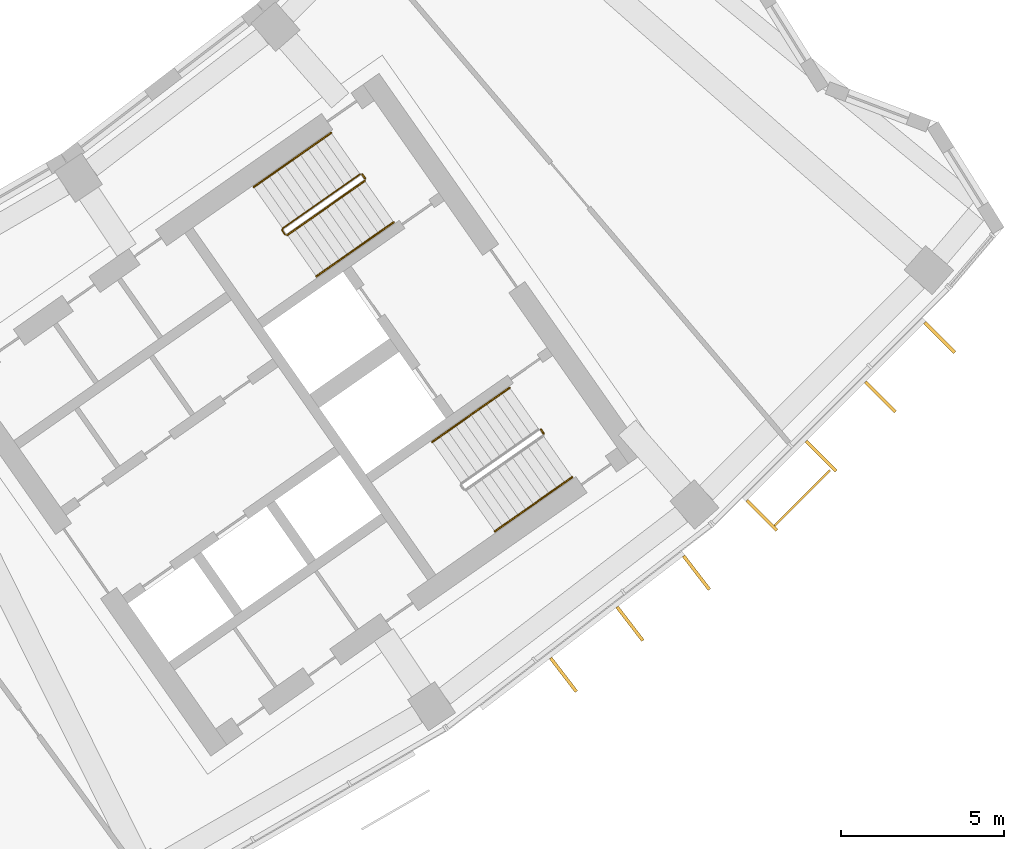
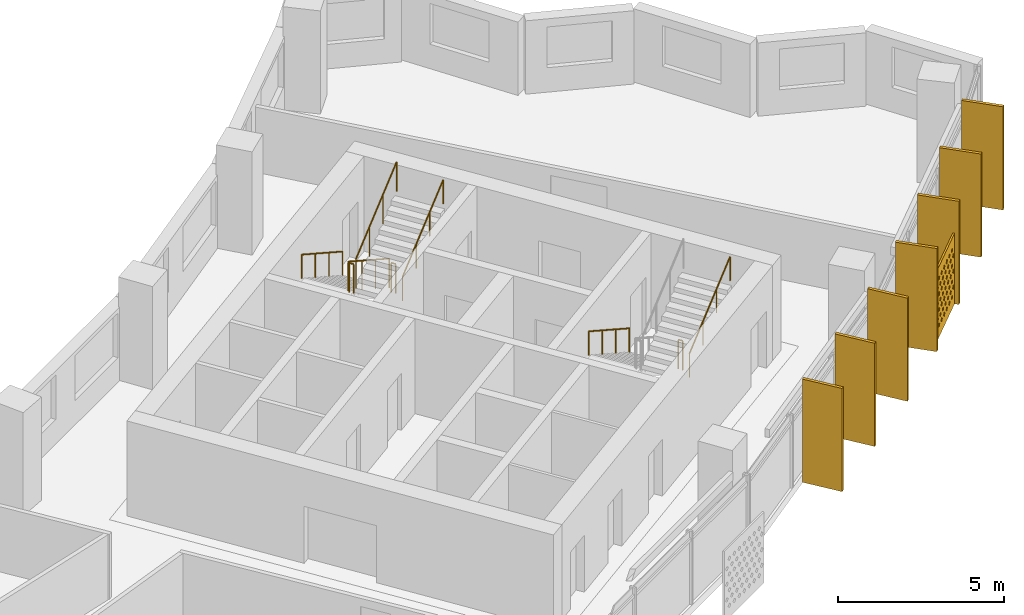
# One storey, part 27 of 27: 8 railings, 8 shading devices.
"""IFC4 building model written with IfcOpenShell, lengths in metres."""

from ifc_helpers import new_model, si_unit, direction, frame, origin, origin_2d, place, context, subcontext, project, spatial, polyline, rectangle, circle, outline, extrude, material, material_profile, profile_set, type_object, element, save


model = new_model("IFC4")

# Units and contexts
model_context = context("Model", 3, precision=1e-05, world=origin(), true_north=direction((0.0, 1.0)))
body_context = subcontext(model_context, "Body", "Model", "MODEL_VIEW")
ifc_project = project(units=[si_unit("LENGTHUNIT", "METRE"), si_unit("AREAUNIT", "SQUARE_METRE"), si_unit("VOLUMEUNIT", "CUBIC_METRE"), si_unit("PLANEANGLEUNIT", "RADIAN"), si_unit("MASSUNIT", "GRAM", prefix="KILO")], contexts=[model_context])

# Site, building, storey
site_placement = place(None, origin())
site = spatial("IfcSite", under=ifc_project, at=site_placement, CompositionType="ELEMENT")
building_placement = place(site_placement, origin())
building = spatial("IfcBuilding", under=site, at=building_placement, Name="Qamariyya Broadcast Tower", CompositionType="ELEMENT")
storey_placement = place(building_placement, frame((0.0, 0.0, 222.699951171875)))
storey = spatial("IfcBuildingStorey", under=building, at=storey_placement, Name="L53", CompositionType="ELEMENT", Elevation=222.699951171875)

# Shading device
ifc_material_1 = material(Name="Perforated glazed terracotta", Category="masonry")
ifc_material_profile_1 = material_profile(ifc_material_1, outline(polyline([(-1.199951171875, -1.300048828125), (1.199951171875, -1.300048828125), (1.199951171875, 1.300048828125), (-1.199951171875, 1.300048828125), (-1.199951171875, -1.300048828125)]), holes=[polyline([(-0.81494140625, -0.86669921875), (-0.89990234375, -0.78173828125), (-0.985107421875, -0.86669921875), (-0.89990234375, -0.95166015625), (-0.81494140625, -0.86669921875)]), polyline([(-0.514892578125, -0.86669921875), (-0.60009765625, -0.78173828125), (-0.68505859375, -0.86669921875), (-0.60009765625, -0.95166015625), (-0.514892578125, -0.86669921875)]), polyline([(-0.215087890625, -0.86669921875), (-0.300048828125, -0.78173828125), (-0.385009765625, -0.86669921875), (-0.300048828125, -0.95166015625), (-0.215087890625, -0.86669921875)]), polyline([(0.0849609375, -0.86669921875), (0.0, -0.78173828125), (-0.0849609375, -0.86669921875), (0.0, -0.95166015625), (0.0849609375, -0.86669921875)]), polyline([(0.385009765625, -0.86669921875), (0.300048828125, -0.78173828125), (0.215087890625, -0.86669921875), (0.300048828125, -0.95166015625), (0.385009765625, -0.86669921875)]), polyline([(0.68505859375, -0.86669921875), (0.60009765625, -0.78173828125), (0.514892578125, -0.86669921875), (0.60009765625, -0.95166015625), (0.68505859375, -0.86669921875)]), polyline([(0.985107421875, -0.86669921875), (0.89990234375, -0.78173828125), (0.81494140625, -0.86669921875), (0.89990234375, -0.95166015625), (0.985107421875, -0.86669921875)]), polyline([(-0.965087890625, -0.577880859375), (-1.050048828125, -0.49267578125), (-1.135009765625, -0.577880859375), (-1.050048828125, -0.662841796875), (-0.965087890625, -0.577880859375)]), polyline([(-0.6650390625, -0.577880859375), (-0.75, -0.49267578125), (-0.8349609375, -0.577880859375), (-0.75, -0.662841796875), (-0.6650390625, -0.577880859375)]), polyline([(-0.364990234375, -0.577880859375), (-0.449951171875, -0.49267578125), (-0.534912109375, -0.577880859375), (-0.449951171875, -0.662841796875), (-0.364990234375, -0.577880859375)]), polyline([(-0.06494140625, -0.577880859375), (-0.14990234375, -0.49267578125), (-0.235107421875, -0.577880859375), (-0.14990234375, -0.662841796875), (-0.06494140625, -0.577880859375)]), polyline([(0.235107421875, -0.577880859375), (0.14990234375, -0.49267578125), (0.06494140625, -0.577880859375), (0.14990234375, -0.662841796875), (0.235107421875, -0.577880859375)]), polyline([(0.534912109375, -0.577880859375), (0.449951171875, -0.49267578125), (0.364990234375, -0.577880859375), (0.449951171875, -0.662841796875), (0.534912109375, -0.577880859375)]), polyline([(0.8349609375, -0.577880859375), (0.75, -0.49267578125), (0.6650390625, -0.577880859375), (0.75, -0.662841796875), (0.8349609375, -0.577880859375)]), polyline([(1.135009765625, -0.577880859375), (1.050048828125, -0.49267578125), (0.965087890625, -0.577880859375), (1.050048828125, -0.662841796875), (1.135009765625, -0.577880859375)]), polyline([(-0.81494140625, -0.288818359375), (-0.89990234375, -0.203857421875), (-0.985107421875, -0.288818359375), (-0.89990234375, -0.373779296875), (-0.81494140625, -0.288818359375)]), polyline([(-0.514892578125, -0.288818359375), (-0.60009765625, -0.203857421875), (-0.68505859375, -0.288818359375), (-0.60009765625, -0.373779296875), (-0.514892578125, -0.288818359375)]), polyline([(-0.215087890625, -0.288818359375), (-0.300048828125, -0.203857421875), (-0.385009765625, -0.288818359375), (-0.300048828125, -0.373779296875), (-0.215087890625, -0.288818359375)]), polyline([(0.0849609375, -0.288818359375), (0.0, -0.203857421875), (-0.0849609375, -0.288818359375), (0.0, -0.373779296875), (0.0849609375, -0.288818359375)]), polyline([(0.385009765625, -0.288818359375), (0.300048828125, -0.203857421875), (0.215087890625, -0.288818359375), (0.300048828125, -0.373779296875), (0.385009765625, -0.288818359375)]), polyline([(0.68505859375, -0.288818359375), (0.60009765625, -0.203857421875), (0.514892578125, -0.288818359375), (0.60009765625, -0.373779296875), (0.68505859375, -0.288818359375)]), polyline([(0.985107421875, -0.288818359375), (0.89990234375, -0.203857421875), (0.81494140625, -0.288818359375), (0.89990234375, -0.373779296875), (0.985107421875, -0.288818359375)]), polyline([(-0.965087890625, 0.0), (-1.050048828125, 0.0849609375), (-1.135009765625, 0.0), (-1.050048828125, -0.0849609375), (-0.965087890625, 0.0)]), polyline([(-0.6650390625, 0.0), (-0.75, 0.0849609375), (-0.8349609375, 0.0), (-0.75, -0.0849609375), (-0.6650390625, 0.0)]), polyline([(-0.364990234375, 0.0), (-0.449951171875, 0.0849609375), (-0.534912109375, 0.0), (-0.449951171875, -0.0849609375), (-0.364990234375, 0.0)]), polyline([(-0.06494140625, 0.0), (-0.14990234375, 0.0849609375), (-0.235107421875, 0.0), (-0.14990234375, -0.0849609375), (-0.06494140625, 0.0)]), polyline([(0.235107421875, 0.0), (0.14990234375, 0.0849609375), (0.06494140625, 0.0), (0.14990234375, -0.0849609375), (0.235107421875, 0.0)]), polyline([(0.534912109375, 0.0), (0.449951171875, 0.0849609375), (0.364990234375, 0.0), (0.449951171875, -0.0849609375), (0.534912109375, 0.0)]), polyline([(0.8349609375, 0.0), (0.75, 0.0849609375), (0.6650390625, 0.0), (0.75, -0.0849609375), (0.8349609375, 0.0)]), polyline([(1.135009765625, 0.0), (1.050048828125, 0.0849609375), (0.965087890625, 0.0), (1.050048828125, -0.0849609375), (1.135009765625, 0.0)]), polyline([(-0.81494140625, 0.288818359375), (-0.89990234375, 0.373779296875), (-0.985107421875, 0.288818359375), (-0.89990234375, 0.203857421875), (-0.81494140625, 0.288818359375)]), polyline([(-0.514892578125, 0.288818359375), (-0.60009765625, 0.373779296875), (-0.68505859375, 0.288818359375), (-0.60009765625, 0.203857421875), (-0.514892578125, 0.288818359375)]), polyline([(-0.215087890625, 0.288818359375), (-0.300048828125, 0.373779296875), (-0.385009765625, 0.288818359375), (-0.300048828125, 0.203857421875), (-0.215087890625, 0.288818359375)]), polyline([(0.0849609375, 0.288818359375), (0.0, 0.373779296875), (-0.0849609375, 0.288818359375), (0.0, 0.203857421875), (0.0849609375, 0.288818359375)]), polyline([(0.385009765625, 0.288818359375), (0.300048828125, 0.373779296875), (0.215087890625, 0.288818359375), (0.300048828125, 0.203857421875), (0.385009765625, 0.288818359375)]), polyline([(0.68505859375, 0.288818359375), (0.60009765625, 0.373779296875), (0.514892578125, 0.288818359375), (0.60009765625, 0.203857421875), (0.68505859375, 0.288818359375)]), polyline([(0.985107421875, 0.288818359375), (0.89990234375, 0.373779296875), (0.81494140625, 0.288818359375), (0.89990234375, 0.203857421875), (0.985107421875, 0.288818359375)]), polyline([(-0.965087890625, 0.577880859375), (-1.050048828125, 0.662841796875), (-1.135009765625, 0.577880859375), (-1.050048828125, 0.49267578125), (-0.965087890625, 0.577880859375)]), polyline([(-0.6650390625, 0.577880859375), (-0.75, 0.662841796875), (-0.8349609375, 0.577880859375), (-0.75, 0.49267578125), (-0.6650390625, 0.577880859375)]), polyline([(-0.364990234375, 0.577880859375), (-0.449951171875, 0.662841796875), (-0.534912109375, 0.577880859375), (-0.449951171875, 0.49267578125), (-0.364990234375, 0.577880859375)]), polyline([(-0.06494140625, 0.577880859375), (-0.14990234375, 0.662841796875), (-0.235107421875, 0.577880859375), (-0.14990234375, 0.49267578125), (-0.06494140625, 0.577880859375)]), polyline([(0.235107421875, 0.577880859375), (0.14990234375, 0.662841796875), (0.06494140625, 0.577880859375), (0.14990234375, 0.49267578125), (0.235107421875, 0.577880859375)]), polyline([(0.534912109375, 0.577880859375), (0.449951171875, 0.662841796875), (0.364990234375, 0.577880859375), (0.449951171875, 0.49267578125), (0.534912109375, 0.577880859375)]), polyline([(0.8349609375, 0.577880859375), (0.75, 0.662841796875), (0.6650390625, 0.577880859375), (0.75, 0.49267578125), (0.8349609375, 0.577880859375)]), polyline([(1.135009765625, 0.577880859375), (1.050048828125, 0.662841796875), (0.965087890625, 0.577880859375), (1.050048828125, 0.49267578125), (1.135009765625, 0.577880859375)]), polyline([(-0.81494140625, 0.86669921875), (-0.89990234375, 0.95166015625), (-0.985107421875, 0.86669921875), (-0.89990234375, 0.78173828125), (-0.81494140625, 0.86669921875)]), polyline([(-0.514892578125, 0.86669921875), (-0.60009765625, 0.95166015625), (-0.68505859375, 0.86669921875), (-0.60009765625, 0.78173828125), (-0.514892578125, 0.86669921875)]), polyline([(-0.215087890625, 0.86669921875), (-0.300048828125, 0.95166015625), (-0.385009765625, 0.86669921875), (-0.300048828125, 0.78173828125), (-0.215087890625, 0.86669921875)]), polyline([(0.0849609375, 0.86669921875), (0.0, 0.95166015625), (-0.0849609375, 0.86669921875), (0.0, 0.78173828125), (0.0849609375, 0.86669921875)]), polyline([(0.385009765625, 0.86669921875), (0.300048828125, 0.95166015625), (0.215087890625, 0.86669921875), (0.300048828125, 0.78173828125), (0.385009765625, 0.86669921875)]), polyline([(0.68505859375, 0.86669921875), (0.60009765625, 0.95166015625), (0.514892578125, 0.86669921875), (0.60009765625, 0.78173828125), (0.68505859375, 0.86669921875)]), polyline([(0.985107421875, 0.86669921875), (0.89990234375, 0.95166015625), (0.81494140625, 0.86669921875), (0.89990234375, 0.78173828125), (0.985107421875, 0.86669921875)])]))
ifc_profile_set_1 = profile_set([ifc_material_profile_1], Name="Perforated glazed terracotta")
shading_device_type_1 = type_object("IfcShadingDeviceType", Name="Perforated terracotta screen 2400 x 2600", PredefinedType="USERDEFINED", material=ifc_profile_set_1)
shading_device_placement = place(storey_placement, frame((54.548828125, -58.237060546875, 1.35009765625), z_axis=(0.707106781187, -0.707106781187, 0.0), x_axis=(0.707106781187, 0.707106781187, 0.0)))
element("IfcShadingDevice", 1, at=shading_device_placement, inside=storey, type_object=shading_device_type_1, Name="e-scr-L53-14-0", ObjectType="SCREEN", PredefinedType="USERDEFINED", context=body_context, shape_type="SweptSolid", body=[
    extrude(outline(polyline([(-1.199951171875, -1.300048828125), (1.199951171875, -1.300048828125), (1.199951171875, 1.300048828125), (-1.199951171875, 1.300048828125), (-1.199951171875, -1.300048828125)]), holes=[polyline([(-0.81494140625, -0.86669921875), (-0.89990234375, -0.78173828125), (-0.985107421875, -0.86669921875), (-0.89990234375, -0.95166015625), (-0.81494140625, -0.86669921875)]), polyline([(-0.514892578125, -0.86669921875), (-0.60009765625, -0.78173828125), (-0.68505859375, -0.86669921875), (-0.60009765625, -0.95166015625), (-0.514892578125, -0.86669921875)]), polyline([(-0.215087890625, -0.86669921875), (-0.300048828125, -0.78173828125), (-0.385009765625, -0.86669921875), (-0.300048828125, -0.95166015625), (-0.215087890625, -0.86669921875)]), polyline([(0.0849609375, -0.86669921875), (0.0, -0.78173828125), (-0.0849609375, -0.86669921875), (0.0, -0.95166015625), (0.0849609375, -0.86669921875)]), polyline([(0.385009765625, -0.86669921875), (0.300048828125, -0.78173828125), (0.215087890625, -0.86669921875), (0.300048828125, -0.95166015625), (0.385009765625, -0.86669921875)]), polyline([(0.68505859375, -0.86669921875), (0.60009765625, -0.78173828125), (0.514892578125, -0.86669921875), (0.60009765625, -0.95166015625), (0.68505859375, -0.86669921875)]), polyline([(0.985107421875, -0.86669921875), (0.89990234375, -0.78173828125), (0.81494140625, -0.86669921875), (0.89990234375, -0.95166015625), (0.985107421875, -0.86669921875)]), polyline([(-0.965087890625, -0.577880859375), (-1.050048828125, -0.49267578125), (-1.135009765625, -0.577880859375), (-1.050048828125, -0.662841796875), (-0.965087890625, -0.577880859375)]), polyline([(-0.6650390625, -0.577880859375), (-0.75, -0.49267578125), (-0.8349609375, -0.577880859375), (-0.75, -0.662841796875), (-0.6650390625, -0.577880859375)]), polyline([(-0.364990234375, -0.577880859375), (-0.449951171875, -0.49267578125), (-0.534912109375, -0.577880859375), (-0.449951171875, -0.662841796875), (-0.364990234375, -0.577880859375)]), polyline([(-0.06494140625, -0.577880859375), (-0.14990234375, -0.49267578125), (-0.235107421875, -0.577880859375), (-0.14990234375, -0.662841796875), (-0.06494140625, -0.577880859375)]), polyline([(0.235107421875, -0.577880859375), (0.14990234375, -0.49267578125), (0.06494140625, -0.577880859375), (0.14990234375, -0.662841796875), (0.235107421875, -0.577880859375)]), polyline([(0.534912109375, -0.577880859375), (0.449951171875, -0.49267578125), (0.364990234375, -0.577880859375), (0.449951171875, -0.662841796875), (0.534912109375, -0.577880859375)]), polyline([(0.8349609375, -0.577880859375), (0.75, -0.49267578125), (0.6650390625, -0.577880859375), (0.75, -0.662841796875), (0.8349609375, -0.577880859375)]), polyline([(1.135009765625, -0.577880859375), (1.050048828125, -0.49267578125), (0.965087890625, -0.577880859375), (1.050048828125, -0.662841796875), (1.135009765625, -0.577880859375)]), polyline([(-0.81494140625, -0.288818359375), (-0.89990234375, -0.203857421875), (-0.985107421875, -0.288818359375), (-0.89990234375, -0.373779296875), (-0.81494140625, -0.288818359375)]), polyline([(-0.514892578125, -0.288818359375), (-0.60009765625, -0.203857421875), (-0.68505859375, -0.288818359375), (-0.60009765625, -0.373779296875), (-0.514892578125, -0.288818359375)]), polyline([(-0.215087890625, -0.288818359375), (-0.300048828125, -0.203857421875), (-0.385009765625, -0.288818359375), (-0.300048828125, -0.373779296875), (-0.215087890625, -0.288818359375)]), polyline([(0.0849609375, -0.288818359375), (0.0, -0.203857421875), (-0.0849609375, -0.288818359375), (0.0, -0.373779296875), (0.0849609375, -0.288818359375)]), polyline([(0.385009765625, -0.288818359375), (0.300048828125, -0.203857421875), (0.215087890625, -0.288818359375), (0.300048828125, -0.373779296875), (0.385009765625, -0.288818359375)]), polyline([(0.68505859375, -0.288818359375), (0.60009765625, -0.203857421875), (0.514892578125, -0.288818359375), (0.60009765625, -0.373779296875), (0.68505859375, -0.288818359375)]), polyline([(0.985107421875, -0.288818359375), (0.89990234375, -0.203857421875), (0.81494140625, -0.288818359375), (0.89990234375, -0.373779296875), (0.985107421875, -0.288818359375)]), polyline([(-0.965087890625, 0.0), (-1.050048828125, 0.0849609375), (-1.135009765625, 0.0), (-1.050048828125, -0.0849609375), (-0.965087890625, 0.0)]), polyline([(-0.6650390625, 0.0), (-0.75, 0.0849609375), (-0.8349609375, 0.0), (-0.75, -0.0849609375), (-0.6650390625, 0.0)]), polyline([(-0.364990234375, 0.0), (-0.449951171875, 0.0849609375), (-0.534912109375, 0.0), (-0.449951171875, -0.0849609375), (-0.364990234375, 0.0)]), polyline([(-0.06494140625, 0.0), (-0.14990234375, 0.0849609375), (-0.235107421875, 0.0), (-0.14990234375, -0.0849609375), (-0.06494140625, 0.0)]), polyline([(0.235107421875, 0.0), (0.14990234375, 0.0849609375), (0.06494140625, 0.0), (0.14990234375, -0.0849609375), (0.235107421875, 0.0)]), polyline([(0.534912109375, 0.0), (0.449951171875, 0.0849609375), (0.364990234375, 0.0), (0.449951171875, -0.0849609375), (0.534912109375, 0.0)]), polyline([(0.8349609375, 0.0), (0.75, 0.0849609375), (0.6650390625, 0.0), (0.75, -0.0849609375), (0.8349609375, 0.0)]), polyline([(1.135009765625, 0.0), (1.050048828125, 0.0849609375), (0.965087890625, 0.0), (1.050048828125, -0.0849609375), (1.135009765625, 0.0)]), polyline([(-0.81494140625, 0.288818359375), (-0.89990234375, 0.373779296875), (-0.985107421875, 0.288818359375), (-0.89990234375, 0.203857421875), (-0.81494140625, 0.288818359375)]), polyline([(-0.514892578125, 0.288818359375), (-0.60009765625, 0.373779296875), (-0.68505859375, 0.288818359375), (-0.60009765625, 0.203857421875), (-0.514892578125, 0.288818359375)]), polyline([(-0.215087890625, 0.288818359375), (-0.300048828125, 0.373779296875), (-0.385009765625, 0.288818359375), (-0.300048828125, 0.203857421875), (-0.215087890625, 0.288818359375)]), polyline([(0.0849609375, 0.288818359375), (0.0, 0.373779296875), (-0.0849609375, 0.288818359375), (0.0, 0.203857421875), (0.0849609375, 0.288818359375)]), polyline([(0.385009765625, 0.288818359375), (0.300048828125, 0.373779296875), (0.215087890625, 0.288818359375), (0.300048828125, 0.203857421875), (0.385009765625, 0.288818359375)]), polyline([(0.68505859375, 0.288818359375), (0.60009765625, 0.373779296875), (0.514892578125, 0.288818359375), (0.60009765625, 0.203857421875), (0.68505859375, 0.288818359375)]), polyline([(0.985107421875, 0.288818359375), (0.89990234375, 0.373779296875), (0.81494140625, 0.288818359375), (0.89990234375, 0.203857421875), (0.985107421875, 0.288818359375)]), polyline([(-0.965087890625, 0.577880859375), (-1.050048828125, 0.662841796875), (-1.135009765625, 0.577880859375), (-1.050048828125, 0.49267578125), (-0.965087890625, 0.577880859375)]), polyline([(-0.6650390625, 0.577880859375), (-0.75, 0.662841796875), (-0.8349609375, 0.577880859375), (-0.75, 0.49267578125), (-0.6650390625, 0.577880859375)]), polyline([(-0.364990234375, 0.577880859375), (-0.449951171875, 0.662841796875), (-0.534912109375, 0.577880859375), (-0.449951171875, 0.49267578125), (-0.364990234375, 0.577880859375)]), polyline([(-0.06494140625, 0.577880859375), (-0.14990234375, 0.662841796875), (-0.235107421875, 0.577880859375), (-0.14990234375, 0.49267578125), (-0.06494140625, 0.577880859375)]), polyline([(0.235107421875, 0.577880859375), (0.14990234375, 0.662841796875), (0.06494140625, 0.577880859375), (0.14990234375, 0.49267578125), (0.235107421875, 0.577880859375)]), polyline([(0.534912109375, 0.577880859375), (0.449951171875, 0.662841796875), (0.364990234375, 0.577880859375), (0.449951171875, 0.49267578125), (0.534912109375, 0.577880859375)]), polyline([(0.8349609375, 0.577880859375), (0.75, 0.662841796875), (0.6650390625, 0.577880859375), (0.75, 0.49267578125), (0.8349609375, 0.577880859375)]), polyline([(1.135009765625, 0.577880859375), (1.050048828125, 0.662841796875), (0.965087890625, 0.577880859375), (1.050048828125, 0.49267578125), (1.135009765625, 0.577880859375)]), polyline([(-0.81494140625, 0.86669921875), (-0.89990234375, 0.95166015625), (-0.985107421875, 0.86669921875), (-0.89990234375, 0.78173828125), (-0.81494140625, 0.86669921875)]), polyline([(-0.514892578125, 0.86669921875), (-0.60009765625, 0.95166015625), (-0.68505859375, 0.86669921875), (-0.60009765625, 0.78173828125), (-0.514892578125, 0.86669921875)]), polyline([(-0.215087890625, 0.86669921875), (-0.300048828125, 0.95166015625), (-0.385009765625, 0.86669921875), (-0.300048828125, 0.78173828125), (-0.215087890625, 0.86669921875)]), polyline([(0.0849609375, 0.86669921875), (0.0, 0.95166015625), (-0.0849609375, 0.86669921875), (0.0, 0.78173828125), (0.0849609375, 0.86669921875)]), polyline([(0.385009765625, 0.86669921875), (0.300048828125, 0.95166015625), (0.215087890625, 0.86669921875), (0.300048828125, 0.78173828125), (0.385009765625, 0.86669921875)]), polyline([(0.68505859375, 0.86669921875), (0.60009765625, 0.95166015625), (0.514892578125, 0.86669921875), (0.60009765625, 0.78173828125), (0.68505859375, 0.86669921875)]), polyline([(0.985107421875, 0.86669921875), (0.89990234375, 0.95166015625), (0.81494140625, 0.86669921875), (0.89990234375, 0.78173828125), (0.985107421875, 0.86669921875)])]), origin(), (0.0, 0.0, 1.0), 0.06005859375),
])

# Railings
ifc_material_2 = material(Name="Painted steel", Category="steel")
railing_type_1 = type_object("IfcRailingType", Name="Stair guard", PredefinedType="GUARDRAIL", material=ifc_material_2)
railing_1_placement = place(storey_placement, frame((41.003173828125, -48.320068359375, 0.1728515625)))
element("IfcRailing", 2, at=railing_1_placement, inside=storey, type_object=railing_type_1, Name="L53 ST-E2 stair guard 1", PredefinedType="GUARDRAIL", context=body_context, shape_type="SweptSolid", body=[
    extrude(circle(Radius=0.02392578125, at=origin_2d()), frame((0.0, 0.0, 1.076171875), z_axis=(-0.703770094002, -0.492783725636, 0.511734163933), x_axis=(0.573575343427, -0.819152809562, 0.0)), (0.0, 0.0, 1.0), 3.37548828125),
    extrude(circle(Radius=0.02392578125, at=origin_2d()), frame((-2.37548828125, -1.663330078125, 2.80322265625), z_axis=(-0.172799478008, -0.984957024646, 0.0), x_axis=(0.984957024646, -0.172799478008, 0.0)), (0.0, 0.0, 1.0), 0.070556640625),
    extrude(circle(Radius=0.02392578125, at=origin_2d()), frame((-2.3876953125, -1.73291015625, 2.80322265625), z_axis=(0.572588637393, -0.819842821722, 0.0), x_axis=(0.819842821722, 0.572588637393, 0.0)), (0.0, 0.0, 1.0), 0.150146484375),
    extrude(circle(Radius=0.02099609375, at=origin_2d()), origin(), (0.0, 0.0, 1.0), 1.052001953125),
    extrude(circle(Radius=0.02099609375, at=origin_2d()), frame((-0.791748046875, -0.554443359375, 0.57568359375)), (0.0, 0.0, 1.0), 1.052001953125),
    extrude(circle(Radius=0.02099609375, at=origin_2d()), frame((-1.583740234375, -1.10888671875, 1.151611328125)), (0.0, 0.0, 1.0), 1.052001953125),
    extrude(circle(Radius=0.02099609375, at=origin_2d()), frame((-2.37548828125, -1.663330078125, 1.727294921875)), (0.0, 0.0, 1.0), 1.052001953125),
    extrude(circle(Radius=0.02099609375, at=origin_2d()), frame((-2.3876953125, -1.73291015625, 1.727294921875)), (0.0, 0.0, 1.0), 1.052001953125),
    extrude(circle(Radius=0.02099609375, at=origin_2d()), frame((-2.3017578125, -1.85595703125, 1.727294921875)), (0.0, 0.0, 1.0), 1.052001953125),
])
railing_2_placement = place(storey_placement, frame((38.771240234375, -50.188232421875, 2.07275390625)))
element("IfcRailing", 3, at=railing_2_placement, inside=storey, type_object=railing_type_1, Name="L53 ST-E2 stair guard 2", PredefinedType="GUARDRAIL", context=body_context, shape_type="SweptSolid", body=[
    extrude(circle(Radius=0.02392578125, at=origin_2d()), frame((0.0, 0.0, 1.076171875), z_axis=(0.703770094002, 0.492783725636, 0.511734163933), x_axis=(-0.573575343427, 0.819152809562, 0.0)), (0.0, 0.0, 1.0), 3.37548828125),
    extrude(circle(Radius=0.02099609375, at=origin_2d()), origin(), (0.0, 0.0, 1.0), 1.052001953125),
    extrude(circle(Radius=0.02099609375, at=origin_2d()), frame((0.791748046875, 0.554443359375, 0.57568359375)), (0.0, 0.0, 1.0), 1.052001953125),
    extrude(circle(Radius=0.02099609375, at=origin_2d()), frame((1.583740234375, 1.10888671875, 1.151611328125)), (0.0, 0.0, 1.0), 1.052001953125),
    extrude(circle(Radius=0.02099609375, at=origin_2d()), frame((2.37548828125, 1.663330078125, 1.727294921875)), (0.0, 0.0, 1.0), 1.052001953125),
])
railing_3_placement = place(storey_placement, frame((41.072998046875, -48.332275390625, 0.0)))
element("IfcRailing", 4, at=railing_3_placement, inside=storey, type_object=railing_type_1, Name="L53 ST-E2 stair guard 3", PredefinedType="GUARDRAIL", context=body_context, shape_type="SweptSolid", body=[
    extrude(circle(Radius=0.02392578125, at=origin_2d()), frame((0.0, 0.0, 1.076171875), z_axis=(0.572588637393, -0.819842821722, 0.0), x_axis=(0.819842821722, 0.572588637393, 0.0)), (0.0, 0.0, 1.0), 0.150146484375),
    extrude(circle(Radius=0.02099609375, at=origin_2d()), origin(), (0.0, 0.0, 1.0), 1.052001953125),
    extrude(circle(Radius=0.02099609375, at=origin_2d()), frame((0.0859375, -0.123046875, 0.0)), (0.0, 0.0, 1.0), 1.052001953125),
])
railing_4_placement = place(storey_placement, frame((46.550537109375, -56.1552734375, 0.0)))
element("IfcRailing", 5, at=railing_4_placement, inside=storey, type_object=railing_type_1, Name="L53 ST-E1 stair guard 3", PredefinedType="GUARDRAIL", context=body_context, shape_type="SweptSolid", body=[
    extrude(circle(Radius=0.02392578125, at=origin_2d()), frame((0.0, 0.0, 1.076171875), z_axis=(0.574444878118, -0.818543268254, 0.0), x_axis=(0.818543268254, 0.574444878118, 0.0)), (0.0, 0.0, 1.0), 0.150146484375),
    extrude(circle(Radius=0.02099609375, at=origin_2d()), origin(), (0.0, 0.0, 1.0), 1.052001953125),
    extrude(circle(Radius=0.02099609375, at=origin_2d()), frame((0.086181640625, -0.122802734375, 0.0)), (0.0, 0.0, 1.0), 1.052001953125),
])
ifc_material_3 = material(Name="Stainless steel", Category="steel")
railing_type_2 = type_object("IfcRailingType", Name="Stair handrail", PredefinedType="HANDRAIL", material=ifc_material_3)
railing_5_placement = place(storey_placement, frame((40.1142578125, -47.05029296875, 0.1728515625)))
element("IfcRailing", 6, at=railing_5_placement, inside=storey, type_object=railing_type_2, Name="L53 ST-E2 stair handrail 1", PredefinedType="HANDRAIL", context=body_context, shape_type="SweptSolid", body=[
    extrude(circle(Radius=0.02392578125, at=origin_2d()), frame((0.0, 0.0, 0.8759765625), z_axis=(-0.703745009021, -0.492838488332, 0.511715923826), x_axis=(0.573631830683, -0.819113253969, 0.0)), (0.0, 0.0, 1.0), 3.37548828125),
    extrude(circle(Radius=0.02099609375, at=origin_2d()), origin(), (0.0, 0.0, 1.0), 0.851806640625),
    extrude(circle(Radius=0.02099609375, at=origin_2d()), frame((-0.791748046875, -0.554443359375, 0.57568359375)), (0.0, 0.0, 1.0), 0.851806640625),
    extrude(circle(Radius=0.02099609375, at=origin_2d()), frame((-1.583740234375, -1.109130859375, 1.151611328125)), (0.0, 0.0, 1.0), 0.851806640625),
    extrude(circle(Radius=0.02099609375, at=origin_2d()), frame((-2.37548828125, -1.66357421875, 1.727294921875)), (0.0, 0.0, 1.0), 0.851806640625),
])
railing_6_placement = place(storey_placement, frame((39.66015625, -51.4580078125, 2.07275390625)))
element("IfcRailing", 7, at=railing_6_placement, inside=storey, type_object=railing_type_2, Name="L53 ST-E2 stair handrail 2", PredefinedType="HANDRAIL", context=body_context, shape_type="SweptSolid", body=[
    extrude(circle(Radius=0.02392578125, at=origin_2d()), frame((0.0, 0.0, 0.8759765625), z_axis=(0.703745009021, 0.492838488332, 0.511715923826), x_axis=(-0.573631830683, 0.819113253969, 0.0)), (0.0, 0.0, 1.0), 3.37548828125),
    extrude(circle(Radius=0.02099609375, at=origin_2d()), origin(), (0.0, 0.0, 1.0), 0.851806640625),
    extrude(circle(Radius=0.02099609375, at=origin_2d()), frame((0.791748046875, 0.554443359375, 0.57568359375)), (0.0, 0.0, 1.0), 0.851806640625),
    extrude(circle(Radius=0.02099609375, at=origin_2d()), frame((1.583740234375, 1.109130859375, 1.151611328125)), (0.0, 0.0, 1.0), 0.851806640625),
    extrude(circle(Radius=0.02099609375, at=origin_2d()), frame((2.37548828125, 1.66357421875, 1.727294921875)), (0.0, 0.0, 1.0), 0.851806640625),
])
railing_7_placement = place(storey_placement, frame((45.591796875, -54.873291015625, 0.1728515625)))
element("IfcRailing", 8, at=railing_7_placement, inside=storey, type_object=railing_type_2, Name="L53 ST-E1 stair handrail 1", PredefinedType="HANDRAIL", context=body_context, shape_type="SweptSolid", body=[
    extrude(circle(Radius=0.02392578125, at=origin_2d()), frame((0.0, 0.0, 0.8759765625), z_axis=(-0.703770094002, -0.492783725636, 0.511734163933), x_axis=(0.573575343427, -0.819152809562, 0.0)), (0.0, 0.0, 1.0), 3.37548828125),
    extrude(circle(Radius=0.02099609375, at=origin_2d()), origin(), (0.0, 0.0, 1.0), 0.851806640625),
    extrude(circle(Radius=0.02099609375, at=origin_2d()), frame((-0.791748046875, -0.554443359375, 0.57568359375)), (0.0, 0.0, 1.0), 0.851806640625),
    extrude(circle(Radius=0.02099609375, at=origin_2d()), frame((-1.583740234375, -1.10888671875, 1.151611328125)), (0.0, 0.0, 1.0), 0.851806640625),
    extrude(circle(Radius=0.02099609375, at=origin_2d()), frame((-2.37548828125, -1.663330078125, 1.727294921875)), (0.0, 0.0, 1.0), 0.851806640625),
])
railing_8_placement = place(storey_placement, frame((45.137939453125, -59.28076171875, 2.07275390625)))
element("IfcRailing", 9, at=railing_8_placement, inside=storey, type_object=railing_type_2, Name="L53 ST-E1 stair handrail 2", PredefinedType="HANDRAIL", context=body_context, shape_type="SweptSolid", body=[
    extrude(circle(Radius=0.02392578125, at=origin_2d()), frame((0.0, 0.0, 0.8759765625), z_axis=(0.703770094002, 0.492783725636, 0.511734163933), x_axis=(-0.573575343427, 0.819152809562, 0.0)), (0.0, 0.0, 1.0), 3.37548828125),
    extrude(circle(Radius=0.02099609375, at=origin_2d()), origin(), (0.0, 0.0, 1.0), 0.851806640625),
    extrude(circle(Radius=0.02099609375, at=origin_2d()), frame((0.791748046875, 0.554443359375, 0.57568359375)), (0.0, 0.0, 1.0), 0.851806640625),
    extrude(circle(Radius=0.02099609375, at=origin_2d()), frame((1.583740234375, 1.10888671875, 1.151611328125)), (0.0, 0.0, 1.0), 0.851806640625),
    extrude(circle(Radius=0.02099609375, at=origin_2d()), frame((2.37548828125, 1.663330078125, 1.727294921875)), (0.0, 0.0, 1.0), 0.851806640625),
])

# Shading devices
ifc_material_4 = material(Name="Glazed terracotta", Category="masonry")
ifc_material_profile_2 = material_profile(ifc_material_4, rectangle(XDim=1.300048828125, YDim=0.10009765625, at=origin_2d()))
ifc_profile_set_2 = profile_set([ifc_material_profile_2], Name="Glazed terracotta")
shading_device_type_2 = type_object("IfcShadingDeviceType", Name="Terracotta fin 100 x 1300", PredefinedType="USERDEFINED", material=ifc_profile_set_2)
for number, where, z_axis, x_axis, name in (
    (10, (47.243408203125, -63.68115234375, 0.0), (0.0, 0.0, 1.0), (0.608761429009, -0.793353340291, 0.0), "e-fin-L53-13-1"),
    (11, (49.283935546875, -62.115478515625, 0.0), (0.0, 0.0, 1.0), (0.608761429009, -0.793353340291, 0.0), "e-fin-L53-13-2"),
    (12, (51.32421875, -60.5498046875, 0.0), (0.0, 0.0, 1.0), (0.608761429009, -0.793353340291, 0.0), "e-fin-L53-13-3"),
    (13, (53.33251953125, -58.78857421875, 0.0), (0.0, 0.0, 1.0), (0.707106781187, -0.707106781187, 0.0), "e-fin-L53-14-0"),
    (14, (55.151123046875, -56.969970703125, 0.0), (0.0, 0.0, 1.0), (0.707106781187, -0.707106781187, 0.0), "e-fin-L53-14-1"),
    (15, (56.969970703125, -55.151123046875, 0.0), (0.0, 0.0, 1.0), (0.707106781187, -0.707106781187, 0.0), "e-fin-L53-14-2"),
    (16, (58.78857421875, -53.33251953125, 0.0), (0.0, 0.0, 1.0), (0.707106781187, -0.707106781187, 0.0), "e-fin-L53-14-3"),
):
    element("IfcShadingDevice", number, at=place(storey_placement, frame(where, z_axis=z_axis, x_axis=x_axis)), inside=storey, type_object=shading_device_type_2, Name=name, ObjectType="FIN", PredefinedType="USERDEFINED", context=body_context, shape_type="SweptSolid", body=[
        extrude(rectangle(XDim=1.300048828125, YDim=0.10009765625, at=origin_2d()), origin(), (0.0, 0.0, 1.0), 3.800048828125),
    ])

save(model, "model.ifc")
